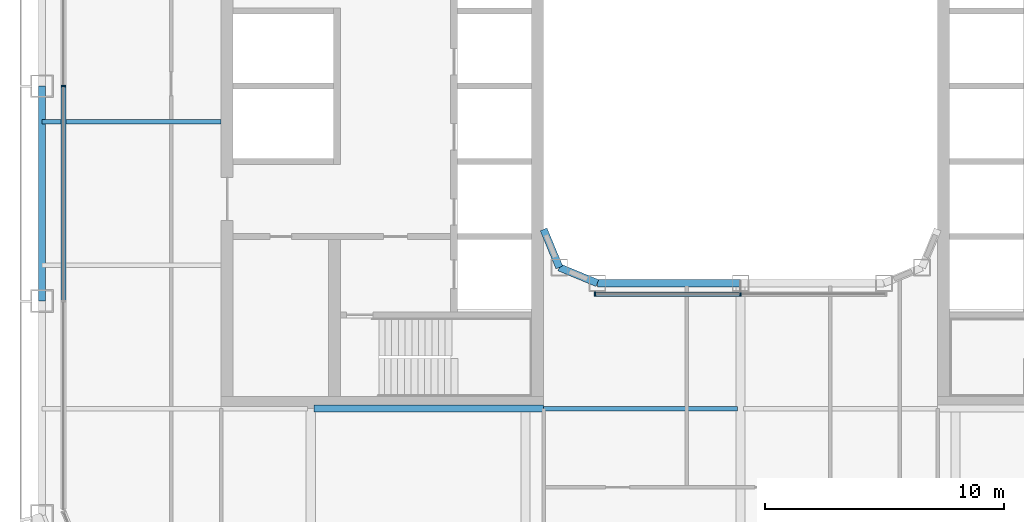
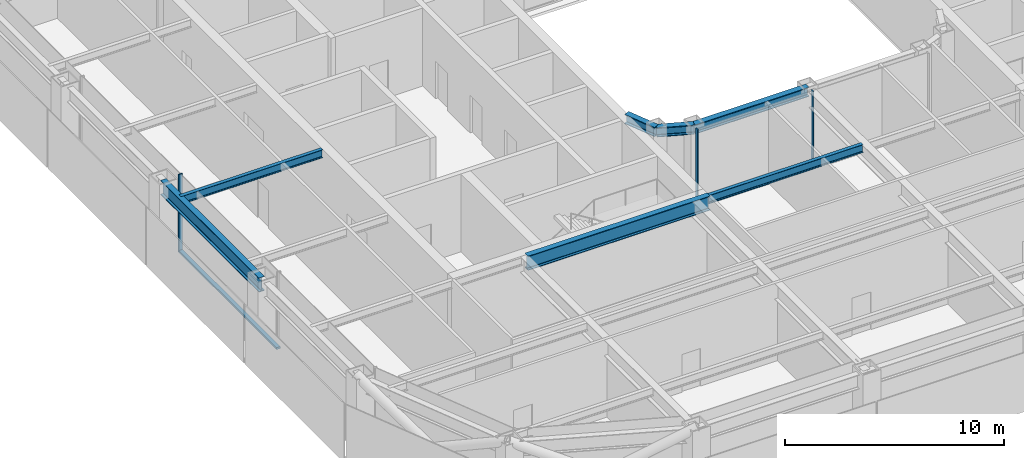
# One storey, part 3 of 21: 7 beams, 5 members, 2 elements without a shape of their own.
"""IFC4 building model written with IfcOpenShell, lengths in metres."""

from ifc_helpers import new_model, si_unit, direction, frame, origin, origin_2d, place, context, subcontext, project, spatial, rectangle, i_section, extrude, material, layer, layer_set, material_profile, profile_set, type_object, element, aggregate, save


model = new_model("IFC4")

# Units and contexts
model_context = context("Model", 3, precision=1e-05, world=origin(), true_north=direction((0.0, 1.0)))
body_context = subcontext(model_context, "Body", "Model", "MODEL_VIEW")
ifc_project = project(units=[si_unit("LENGTHUNIT", "METRE"), si_unit("AREAUNIT", "SQUARE_METRE"), si_unit("VOLUMEUNIT", "CUBIC_METRE"), si_unit("PLANEANGLEUNIT", "RADIAN"), si_unit("MASSUNIT", "GRAM", prefix="KILO")], contexts=[model_context])

# Site, building, storey
site_placement = place(None, origin())
site = spatial("IfcSite", under=ifc_project, at=site_placement, CompositionType="ELEMENT")
building_placement = place(site_placement, origin())
building = spatial("IfcBuilding", under=site, at=building_placement, Name="Siwar Civic Tower", CompositionType="ELEMENT")
storey_placement = place(building_placement, frame((0.0, 0.0, 140.699951171875)))
storey = spatial("IfcBuildingStorey", under=building, at=storey_placement, Name="L30", CompositionType="ELEMENT", Elevation=140.699951171875)

# Curtain wall, member
ifc_material_1 = material(Name="Aluminium and glass", Category="aluminium")
ifc_layer_1 = layer(ifc_material_1, 0.199951171875)
ifc_layer_set_1 = layer_set([ifc_layer_1], Name="Aluminium and glass")
curtain_wall_type_1 = type_object("IfcCurtainWallType", Name="ENV-CW-B", PredefinedType="NOTDEFINED", material=ifc_layer_set_1)
curtain_wall_1_placement = place(storey_placement, origin())
curtain_wall_1 = element("IfcCurtainWall", 1, at=curtain_wall_1_placement, inside=storey, type_object=curtain_wall_type_1, Name="Curtain wall B W", PredefinedType="NOTDEFINED")
ifc_material_2 = material(Name="Aluminium 6063-T6", Category="aluminium")
ifc_material_profile_1 = material_profile(ifc_material_2, rectangle(XDim=0.199951171875, YDim=0.06494140625, at=origin_2d()), Name="AL 200x65")
ifc_profile_set_1 = profile_set([ifc_material_profile_1], Name="Aluminium 6063-T6")
member_type_1 = type_object("IfcMemberType", Name="ENV-MULLION-B", PredefinedType="MULLION", material=ifc_profile_set_1)
member_1_placement = place(storey_placement, frame((-28.35009765625, 0.0, 0.0), z_axis=(0.0, 0.0, 1.0), x_axis=(1.0, 0.0, 0.0)))
member_1 = element("IfcMember", 2, at=member_1_placement, type_object=member_type_1, Name="Mullion B W 3", PredefinedType="MULLION", context=body_context, shape_type="SweptSolid", body=[
    extrude(rectangle(XDim=0.199951171875, YDim=0.06494140625, at=origin_2d()), origin(), (0.0, 0.0, 1.0), 4.35009765625),
])

# Curtain wall, members
ifc_material_3 = material(Name="Aluminium and glass", Category="aluminium")
ifc_layer_2 = layer(ifc_material_3, 0.179931640625)
ifc_layer_set_2 = layer_set([ifc_layer_2], Name="Aluminium and glass")
curtain_wall_type_2 = type_object("IfcCurtainWallType", Name="ENV-CW-W", PredefinedType="NOTDEFINED", material=ifc_layer_set_2)
curtain_wall_2_placement = place(storey_placement, origin())
curtain_wall_2 = element("IfcCurtainWall", 3, at=curtain_wall_2_placement, inside=storey, type_object=curtain_wall_type_2, Name="Curtain wall W WS", PredefinedType="NOTDEFINED")
ifc_material_4 = material(Name="Aluminium 6063-T6", Category="aluminium")
ifc_material_profile_2 = material_profile(ifc_material_4, rectangle(XDim=0.179931640625, YDim=0.06005859375, at=origin_2d()), Name="AL 180x60")
ifc_profile_set_2 = profile_set([ifc_material_profile_2], Name="Aluminium 6063-T6")
member_type_2 = type_object("IfcMemberType", Name="ENV-MULLION-W", PredefinedType="MULLION", material=ifc_profile_set_2)
member_2_placement = place(storey_placement, frame((-6.091552734375, -8.7099609375, 0.0), z_axis=(0.0, 0.0, 1.0), x_axis=(0.0, 1.0, 0.0)))
member_2 = element("IfcMember", 4, at=member_2_placement, type_object=member_type_2, Name="Mullion W WS 1", PredefinedType="MULLION", context=body_context, shape_type="SweptSolid", body=[
    extrude(rectangle(XDim=0.179931640625, YDim=0.06005859375, at=origin_2d()), origin(), (0.0, 0.0, 1.0), 4.35009765625),
])
member_3_placement = place(storey_placement, frame((0.0, -8.7099609375, 0.0), z_axis=(0.0, 0.0, 1.0), x_axis=(0.0, 1.0, 0.0)))
member_3 = element("IfcMember", 5, at=member_3_placement, type_object=member_type_2, Name="Mullion W WS 2", PredefinedType="MULLION", context=body_context, shape_type="SweptSolid", body=[
    extrude(rectangle(XDim=0.179931640625, YDim=0.06005859375, at=origin_2d()), origin(), (0.0, 0.0, 1.0), 4.35009765625),
])

# Member
ifc_material_5 = material(Name="Aluminium 6063-T6", Category="aluminium")
ifc_material_profile_3 = material_profile(ifc_material_5, rectangle(XDim=0.199951171875, YDim=0.110107421875, at=origin_2d()), Name="AL 200x110")
ifc_profile_set_3 = profile_set([ifc_material_profile_3], Name="Aluminium 6063-T6")
member_type_3 = type_object("IfcMemberType", Name="ENV-TRANSOM-B", PredefinedType="USERDEFINED", material=ifc_profile_set_3)
member_4_placement = place(storey_placement, frame((-28.35009765625, -0.032470703125, 0.054931640625), z_axis=(0.0, -1.0, 0.0), x_axis=(1.0, 0.0, 0.0)))
member_4 = element("IfcMember", 6, at=member_4_placement, type_object=member_type_3, Name="Transom B W 3", ObjectType="TRANSOM", PredefinedType="USERDEFINED", context=body_context, shape_type="SweptSolid", body=[
    extrude(rectangle(XDim=0.199951171875, YDim=0.110107421875, at=origin_2d()), origin(), (0.0, 0.0, 1.0), 8.93505859375),
])

aggregate(curtain_wall_1, [member_1, member_4])

ifc_material_6 = material(Name="Aluminium 6063-T6", Category="aluminium")
ifc_material_profile_4 = material_profile(ifc_material_6, rectangle(XDim=0.179931640625, YDim=0.10009765625, at=origin_2d()), Name="AL 180x100")
ifc_profile_set_4 = profile_set([ifc_material_profile_4], Name="Aluminium 6063-T6")
member_type_4 = type_object("IfcMemberType", Name="ENV-TRANSOM-W", PredefinedType="USERDEFINED", material=ifc_profile_set_4)
member_5_placement = place(storey_placement, frame((-6.0615234375, -8.7099609375, 0.050048828125), z_axis=(1.0, 0.0, 0.0), x_axis=(0.0, 1.0, 0.0)))
member_5 = element("IfcMember", 7, at=member_5_placement, type_object=member_type_4, Name="Transom W WS 1", ObjectType="TRANSOM", PredefinedType="USERDEFINED", context=body_context, shape_type="SweptSolid", body=[
    extrude(rectangle(XDim=0.179931640625, YDim=0.10009765625, at=origin_2d()), origin(), (0.0, 0.0, 1.0), 6.031494140625),
])

aggregate(curtain_wall_2, [member_2, member_3, member_5])

# Beams
ifc_material_7 = material(Name="Steel S355", Category="steel")
ifc_material_profile_5 = material_profile(ifc_material_7, i_section(OverallWidth=0.18994140625, OverallDepth=0.449951171875, WebThickness=0.009521484375, FlangeThickness=0.0146484375, FilletRadius=0.02099609375, at=origin_2d()), Name="IPE450")
ifc_profile_set_5 = profile_set([ifc_material_profile_5], Name="Steel S355")
beam_type_1 = type_object("IfcBeamType", Name="STR-FB-IPE450", PredefinedType="JOIST", material=ifc_profile_set_5)
beam_1_placement = place(storey_placement, frame((-8.25, -13.5, 4.125), z_axis=(1.0, 0.0, 0.0), x_axis=(0.0, 1.0, 0.0)))
element("IfcBeam", 8, at=beam_1_placement, inside=storey, type_object=beam_type_1, Name="L30/bm/F016", PredefinedType="JOIST", context=body_context, shape_type="SweptSolid", body=[
    extrude(i_section(OverallWidth=0.18994140625, OverallDepth=0.449951171875, WebThickness=0.009521484375, FlangeThickness=0.0146484375, FilletRadius=0.02099609375, at=origin_2d()), origin(), (0.0, 0.0, 1.0), 8.1201171875),
])
beam_2_placement = place(storey_placement, frame((-29.25, -1.5, 4.125), z_axis=(1.0, 0.0, 0.0), x_axis=(0.0, 1.0, 0.0)))
element("IfcBeam", 9, at=beam_2_placement, inside=storey, type_object=beam_type_1, Name="L30/bm/F023", PredefinedType="JOIST", context=body_context, shape_type="SweptSolid", body=[
    extrude(i_section(OverallWidth=0.18994140625, OverallDepth=0.449951171875, WebThickness=0.009521484375, FlangeThickness=0.0146484375, FilletRadius=0.02099609375, at=origin_2d()), origin(), (0.0, 0.0, 1.0), 7.5),
])
ifc_material_8 = material(Name="Steel S355", Category="steel")
ifc_material_profile_6 = material_profile(ifc_material_8, i_section(OverallWidth=0.300048828125, OverallDepth=0.800048828125, WebThickness=0.017578125, FlangeThickness=0.032958984375, FilletRadius=0.030029296875, at=origin_2d()), Name="HEB800")
ifc_profile_set_6 = profile_set([ifc_material_profile_6], Name="Steel S355")
beam_type_2 = type_object("IfcBeamType", Name="STR-PG-HEB800", PredefinedType="BEAM", material=ifc_profile_set_6)
beam_3_placement = place(storey_placement, frame((-17.8701171875, -13.5, 3.949951171875), z_axis=(1.0, 0.0, 0.0), x_axis=(0.0, 1.0, 0.0)))
element("IfcBeam", 10, at=beam_3_placement, inside=storey, type_object=beam_type_2, Name="L30/bm/F015", PredefinedType="BEAM", context=body_context, shape_type="SweptSolid", body=[
    extrude(i_section(OverallWidth=0.300048828125, OverallDepth=0.800048828125, WebThickness=0.017578125, FlangeThickness=0.032958984375, FilletRadius=0.030029296875, at=origin_2d()), origin(), (0.0, 0.0, 1.0), 9.6201171875),
])
ifc_material_9 = material(Name="Steel S355", Category="steel")
ifc_material_profile_7 = material_profile(ifc_material_9, i_section(OverallWidth=0.305908203125, OverallDepth=0.52392578125, WebThickness=0.02099609375, FlangeThickness=0.0400390625, FilletRadius=0.027099609375, at=origin_2d()), Name="HEM500")
ifc_profile_set_7 = profile_set([ifc_material_profile_7], Name="Steel S355")
beam_type_3 = type_object("IfcBeamType", Name="STR-RB-HEM500", PredefinedType="BEAM", material=ifc_profile_set_7)
beam_4_placement = place(storey_placement, frame((-7.591064453125, -7.591064453125, 4.088134765625), z_axis=(0.923901072997, -0.382631424892, 0.0), x_axis=(0.382631424892, 0.923901072997, 0.0)))
element("IfcBeam", 11, at=beam_4_placement, inside=storey, type_object=beam_type_3, Name="L30/bm/RS0", PredefinedType="BEAM", context=body_context, shape_type="SweptSolid", body=[
    extrude(i_section(OverallWidth=0.305908203125, OverallDepth=0.52392578125, WebThickness=0.02099609375, FlangeThickness=0.0400390625, FilletRadius=0.027099609375, at=origin_2d()), origin(), (0.0, 0.0, 1.0), 1.72216796875),
])
beam_5_placement = place(storey_placement, frame((-6.0, -8.25, 4.088134765625), z_axis=(1.0, 0.0, 0.0), x_axis=(0.0, 1.0, 0.0)))
element("IfcBeam", 12, at=beam_5_placement, inside=storey, type_object=beam_type_3, Name="L30/bm/RS1", PredefinedType="BEAM", context=body_context, shape_type="SweptSolid", body=[
    extrude(i_section(OverallWidth=0.305908203125, OverallDepth=0.52392578125, WebThickness=0.02099609375, FlangeThickness=0.0400390625, FilletRadius=0.027099609375, at=origin_2d()), origin(), (0.0, 0.0, 1.0), 6.0),
])
beam_6_placement = place(storey_placement, frame((-7.591064453125, -7.591064453125, 4.088134765625), z_axis=(-0.382631424892, 0.923901072997, 0.0), x_axis=(-0.923901072997, -0.382631424892, 0.0)))
element("IfcBeam", 13, at=beam_6_placement, inside=storey, type_object=beam_type_3, Name="L30/bm/RSEW", PredefinedType="BEAM", context=body_context, shape_type="SweptSolid", body=[
    extrude(i_section(OverallWidth=0.305908203125, OverallDepth=0.52392578125, WebThickness=0.02099609375, FlangeThickness=0.0400390625, FilletRadius=0.027099609375, at=origin_2d()), origin(), (0.0, 0.0, 1.0), 1.72216796875),
])
ifc_material_10 = material(Name="Steel S355", Category="steel")
ifc_material_profile_8 = material_profile(ifc_material_10, i_section(OverallWidth=0.300048828125, OverallDepth=0.800048828125, WebThickness=0.017578125, FlangeThickness=0.032958984375, FilletRadius=0.030029296875, at=origin_2d()), Name="HEB800")
ifc_profile_set_8 = profile_set([ifc_material_profile_8], Name="Steel S355")
beam_type_4 = type_object("IfcBeamType", Name="STR-SB-HEB800", PredefinedType="BEAM", material=ifc_profile_set_8)
beam_7_placement = place(storey_placement, frame((-29.25, 0.0, 3.949951171875), z_axis=(0.0, -1.0, 0.0), x_axis=(1.0, 0.0, 0.0)))
element("IfcBeam", 14, at=beam_7_placement, inside=storey, type_object=beam_type_4, Name="L30/bm/SW-2", PredefinedType="BEAM", context=body_context, shape_type="SweptSolid", body=[
    extrude(i_section(OverallWidth=0.300048828125, OverallDepth=0.800048828125, WebThickness=0.017578125, FlangeThickness=0.032958984375, FilletRadius=0.030029296875, at=origin_2d()), origin(), (0.0, 0.0, 1.0), 9.0),
])

save(model, "model.ifc")
